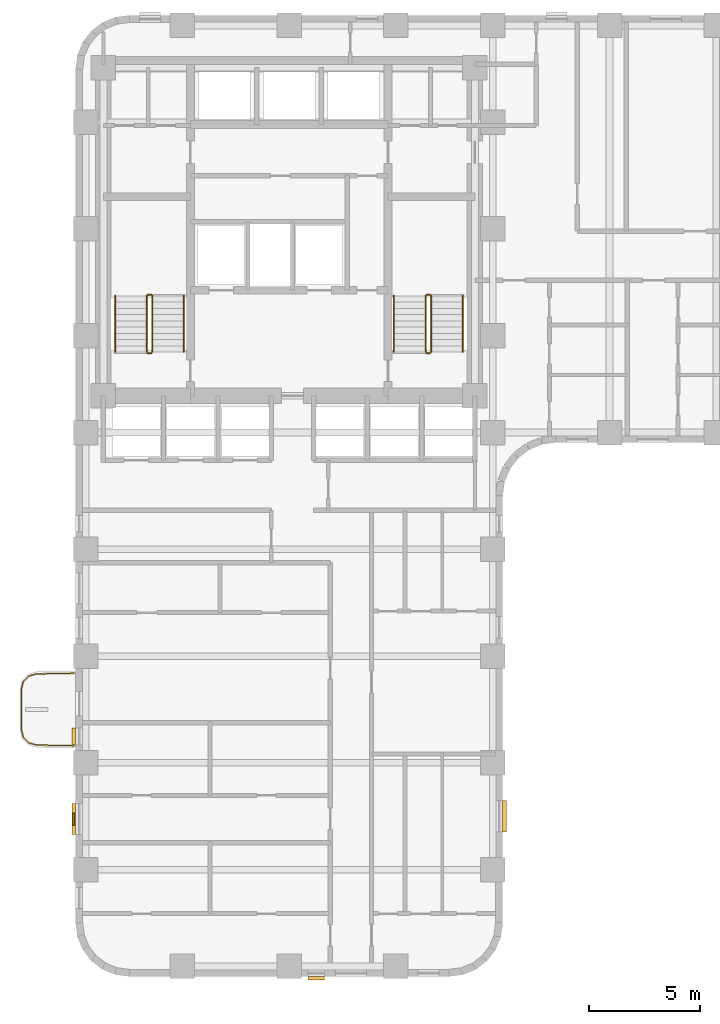
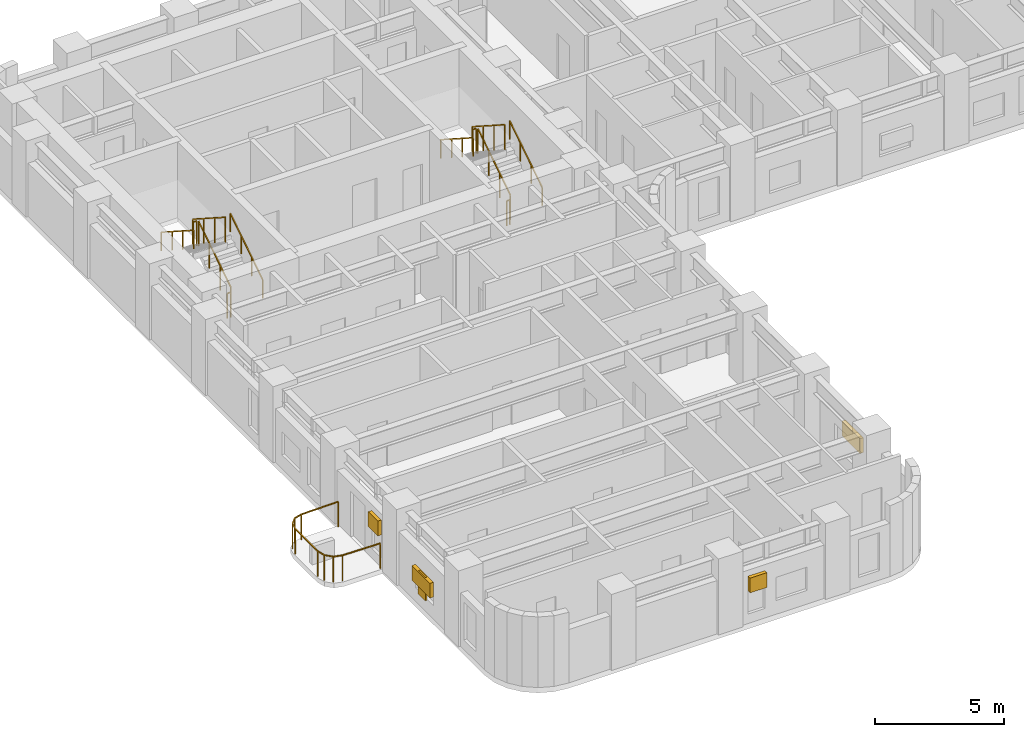
# One storey, part 9 of 11: 13 railings, 5 shading devices.
"""IFC4 building model written with IfcOpenShell, lengths in metres."""

import ifcopenshell
import ifcopenshell.guid

model = None  # the IFC model being written
_history = None  # IfcOwnerHistory: only IFC2X3 demands one
_inside = {}  # id of a spatial element -> (the spatial element, [elements in it])
_under = {}  # id of a project, library or spatial element -> (it, [spatial elements below it])
_declared = {}  # id of a project -> (the project, [libraries it declares])
_typed = {}  # id of a type object -> (the type object, [elements of that type])
_made_of = {}  # id of a material, layer set ... -> (it, [elements and type objects made of it])


def new_model(schema):
    """Start an empty IFC model of exactly this schema.

    Asked for "IFC4X3", IfcOpenShell would pick the latest addendum, in which some entities
    have other attributes; the version numbers below select the first issue.
    IFC2X3 requires an IfcOwnerHistory on every rooted entity: one is made here for all.
    """
    global model, _history
    if schema == "IFC4X3":
        model = ifcopenshell.file(schema_version=(4, 3, 0, 0))
    else:
        model = ifcopenshell.file(schema=schema)
    _inside.clear()
    _under.clear()
    _declared.clear()
    _typed.clear()
    _made_of.clear()
    _history = None
    if model.schema == "IFC2X3":
        org = make("IfcOrganization", Name="unknown")
        user = make(
            "IfcPersonAndOrganization",
            ThePerson=make("IfcPerson", FamilyName="unknown"),
            TheOrganization=org,
        )
        app = make(
            "IfcApplication",
            ApplicationDeveloper=org,
            Version="unknown",
            ApplicationFullName="unknown",
            ApplicationIdentifier="unknown",
        )
        _history = make(
            "IfcOwnerHistory",
            OwningUser=user,
            OwningApplication=app,
            ChangeAction="ADDED",
            CreationDate=0,
        )
    return model


def make(cls, **values):
    """One entity of the class cls with the attributes given. An attribute that is None is left unset."""
    return model.create_entity(
        cls, **{name: value for name, value in values.items() if value is not None}
    )


def rooted(cls, **values):
    """An entity with a GlobalId (a new one), such as an element, a storey or a relation."""
    return make(cls, GlobalId=ifcopenshell.guid.new(), OwnerHistory=_history, **values)


def si_unit(unit_type, name, prefix=None):
    """IfcSIUnit, for example si_unit("LENGTHUNIT", "METRE", prefix="MILLI")."""
    return make("IfcSIUnit", UnitType=unit_type, Prefix=prefix, Name=name)


def assignment(units):
    """IfcUnitAssignment: the units of a project."""
    return None if units is None else make("IfcUnitAssignment", Units=units)


def point(xyz):
    """IfcCartesianPoint."""
    return None if xyz is None else make("IfcCartesianPoint", Coordinates=xyz)


def direction(xyz):
    """IfcDirection."""
    return None if xyz is None else make("IfcDirection", DirectionRatios=xyz)


def frame(location, z_axis=None, x_axis=None):
    """IfcAxis2Placement3D, a coordinate frame: its origin and axes. An axis left out is left unset."""
    return make(
        "IfcAxis2Placement3D",
        Location=point(location),
        Axis=direction(z_axis),
        RefDirection=direction(x_axis),
    )


def frame_2d(location, x_axis=None):
    """IfcAxis2Placement2D, a coordinate frame in the plane: its origin and x axis."""
    return make(
        "IfcAxis2Placement2D", Location=point(location), RefDirection=direction(x_axis)
    )


def origin():
    """The frame at (0, 0, 0) with its axes left unset."""
    return frame((0.0, 0.0, 0.0))


def origin_2d():
    """The frame at (0, 0) in the plane with its x axis left unset."""
    return frame_2d((0.0, 0.0))


def place(relative_to, where):
    """IfcLocalPlacement: puts the frame where relative to a parent placement (None: the world)."""
    return make(
        "IfcLocalPlacement", PlacementRelTo=relative_to, RelativePlacement=where
    )


def context(
    kind, dimensions, precision=None, world=None, true_north=None, identifier=None
):
    """IfcGeometricRepresentationContext, for example the 3D "Model" context."""
    return make(
        "IfcGeometricRepresentationContext",
        ContextIdentifier=identifier,
        ContextType=kind,
        CoordinateSpaceDimension=dimensions,
        Precision=precision,
        WorldCoordinateSystem=world,
        TrueNorth=true_north,
    )


def subcontext(parent, identifier, kind, view, scale=None):
    """IfcGeometricRepresentationSubContext, for example "Body" below "Model"."""
    return make(
        "IfcGeometricRepresentationSubContext",
        ContextIdentifier=identifier,
        ContextType=kind,
        ParentContext=parent,
        TargetScale=scale,
        TargetView=view,
    )


def project(units=None, contexts=None):
    """IfcProject with its units and contexts."""
    return rooted(
        "IfcProject",
        Name="project",
        RepresentationContexts=contexts,
        UnitsInContext=assignment(units),
    )


def spatial(cls, under=None, at=None, **own):
    """A site, building, storey or space (cls), placed at a placement, below another one or the project."""
    s = rooted(cls, ObjectPlacement=at, **own)
    if under is not None:
        _under.setdefault(under.id(), (under, []))[1].append(s)
    return s


def profile(cls, at=None, kind="AREA", **sizes):
    """A parametric profile (cls). Its sizes go by their IFC names, for example OverallWidth=200.0."""
    return make(cls, ProfileType=kind, Position=at, **sizes)


def rectangle(**sizes):
    """IfcRectangleProfileDef."""
    return profile("IfcRectangleProfileDef", **sizes)


def extrude(swept, where, along, depth):
    """IfcExtrudedAreaSolid: the profile swept, set in the frame where, extruded along a direction by depth."""
    return make(
        "IfcExtrudedAreaSolid",
        SweptArea=swept,
        Position=where,
        ExtrudedDirection=direction(along),
        Depth=depth,
    )


def shape(context_of_items, identifier, shape_type, items):
    """IfcShapeRepresentation: the items that make up one representation, for example the "Body"."""
    return make(
        "IfcShapeRepresentation",
        ContextOfItems=context_of_items,
        RepresentationIdentifier=identifier,
        RepresentationType=shape_type,
        Items=items,
    )


def material(Name=None, Category=None):
    """IfcMaterial."""
    return make("IfcMaterial", Name=Name, Category=Category)


def made_of(thing, what):
    """Note that an element or type object is made of a material, layer set ...; save() writes the relation."""
    if what is not None:
        _made_of.setdefault(what.id(), (what, []))[1].append(thing)
    return thing


def type_object(cls, material=None, **own):
    """A type object (cls), such as IfcWallType, which elements share."""
    return made_of(rooted(cls, **own), material)


def element(
    cls,
    number,
    at=None,
    inside=None,
    cuts=None,
    type_object=None,
    material=None,
    context=None,
    identifier="Body",
    shape_type=None,
    held_by="IfcProductDefinitionShape",
    body=None,
    shapes=None,
    **own,
):
    """One element of the class cls, such as IfcWall. Its Tag is "e" and its number.

    at: its placement. inside: the storey or other place that contains it. cuts: it is an
    opening in that element (IfcRelVoidsElement). A single representation is given by context,
    identifier, shape_type and body (its items); several are given by shapes. held_by: the class
    of the entity that holds the representations. save() writes the other relations.
    """
    e = rooted(cls, Tag="e%d" % number, ObjectPlacement=at, **own)
    if body is not None:
        shapes = [shape(context, identifier, shape_type, body)]
    if shapes is not None:
        e.Representation = make(held_by, Representations=shapes)
    if inside is not None:
        _inside.setdefault(inside.id(), (inside, []))[1].append(e)
    if cuts is not None:
        rooted(
            "IfcRelVoidsElement", RelatingBuildingElement=cuts, RelatedOpeningElement=e
        )
    if type_object is not None:
        _typed.setdefault(type_object.id(), (type_object, []))[1].append(e)
    return made_of(e, material)


def aggregate(whole, parts):
    """IfcRelAggregates: a whole, such as a stair, and the parts it consists of."""
    return rooted("IfcRelAggregates", RelatingObject=whole, RelatedObjects=parts)


def save(model, path):
    """Write the relations noted so far, then the file.

    IfcRelAggregates (storeys below a building ...), IfcRelContainedInSpatialStructure (elements
    in a storey), IfcRelDefinesByType, IfcRelAssociatesMaterial and IfcRelDeclares: one each for
    every whole, place, type object, material and project.
    """
    for whole, parts in _under.values():
        aggregate(whole, parts)
    for where, things in _inside.values():
        rooted(
            "IfcRelContainedInSpatialStructure",
            RelatedElements=things,
            RelatingStructure=where,
        )
    for kind, things in _typed.values():
        rooted("IfcRelDefinesByType", RelatedObjects=things, RelatingType=kind)
    for what, things in _made_of.values():
        rooted("IfcRelAssociatesMaterial", RelatedObjects=things, RelatingMaterial=what)
    for by, libraries in _declared.values():
        rooted("IfcRelDeclares", RelatingContext=by, RelatedDefinitions=libraries)
    model.write(path)


model = new_model("IFC4")

# Units and contexts
model_context = context("Model", 3, precision=1e-05, world=origin(), true_north=direction((0.0, 1.0)))
body_context = subcontext(model_context, "Body", "Model", "MODEL_VIEW")
ifc_project = project(units=[si_unit("LENGTHUNIT", "METRE"), si_unit("AREAUNIT", "SQUARE_METRE"), si_unit("VOLUMEUNIT", "CUBIC_METRE"), si_unit("PLANEANGLEUNIT", "RADIAN"), si_unit("MASSUNIT", "GRAM", prefix="KILO")], contexts=[model_context])

# Site, building, storey
site_placement = place(None, origin())
site = spatial("IfcSite", under=ifc_project, at=site_placement, CompositionType="ELEMENT")
building_placement = place(site_placement, origin())
building = spatial("IfcBuilding", under=site, at=building_placement, Name="Orvandelia Arch Residences", CompositionType="ELEMENT")
storey_placement = place(building_placement, frame((0.0, 0.0, 46.60009765625)))
storey = spatial("IfcBuildingStorey", under=building, at=storey_placement, Name="L11", CompositionType="ELEMENT", Elevation=46.60009765625)

# Railings
ifc_material_1 = material(Name="Marine-Grade Stainless Steel 316", Category="steel")
railing_type_1 = type_object("IfcRailingType", Name="GRD-BAL-1200", PredefinedType="BALUSTRADE", material=ifc_material_1)
railing_1_placement = place(storey_placement, frame((4.728271484375, 18.430419921875, 0.0)))
element("IfcRailing", 1, at=railing_1_placement, inside=storey, type_object=railing_type_1, Name="Safety Balustrade Guard GRD-L11-BAL-L11-W1-1", PredefinedType="BALUSTRADE", context=body_context, shape_type="SweptSolid", body=[
    extrude(rectangle(XDim=0.048095703125, YDim=0.048095703125, at=origin_2d()), frame((0.0, 0.0, 1.19580078125), z_axis=(-0.999834751713, -0.018178813668, 0.0), x_axis=(0.018178813668, -0.999834751713, 0.0)), (0.0, 0.0, 1.0), 1.6787109375),
    extrude(rectangle(XDim=0.048095703125, YDim=0.048095703125, at=origin_2d()), frame((-1.678466796875, -0.030517578125, 1.19580078125), z_axis=(-0.96348920644, -0.267747173792, 0.0), x_axis=(0.267747173792, -0.96348920644, 0.0)), (0.0, 0.0, 1.0), 0.36572265625),
    extrude(rectangle(XDim=0.048095703125, YDim=0.048095703125, at=origin_2d()), frame((-2.03076171875, -0.12841796875, 1.19580078125), z_axis=(-0.688627404251, -0.725115368831, 0.0), x_axis=(0.725115368831, -0.688627404251, 0.0)), (0.0, 0.0, 1.0), 0.367919921875),
    extrude(rectangle(XDim=0.048095703125, YDim=0.048095703125, at=origin_2d()), frame((-2.2841796875, -0.395263671875, 1.19580078125), z_axis=(-0.220602419982, -0.975363815352, 0.0), x_axis=(0.975363815352, -0.220602419982, 0.0)), (0.0, 0.0, 1.0), 0.373046875),
    extrude(rectangle(XDim=0.048095703125, YDim=0.048095703125, at=origin_2d()), frame((-2.366455078125, -0.759033203125, 1.19580078125), z_axis=(0.0, -1.0, 0.0), x_axis=(1.0, 0.0, 0.0)), (0.0, 0.0, 1.0), 1.74267578125),
    extrude(rectangle(XDim=0.048095703125, YDim=0.048095703125, at=origin_2d()), frame((-2.366455078125, -2.501708984375, 1.19580078125), z_axis=(0.220602419982, -0.975363815352, 0.0), x_axis=(0.975363815352, 0.220602419982, 0.0)), (0.0, 0.0, 1.0), 0.373046875),
    extrude(rectangle(XDim=0.048095703125, YDim=0.048095703125, at=origin_2d()), frame((-2.2841796875, -2.865478515625, 1.19580078125), z_axis=(0.688296224633, -0.725429739642, 0.0), x_axis=(0.725429739642, 0.688296224633, 0.0)), (0.0, 0.0, 1.0), 0.3681640625),
    extrude(rectangle(XDim=0.048095703125, YDim=0.048095703125, at=origin_2d()), frame((-2.03076171875, -3.132568359375, 1.19580078125), z_axis=(0.96348920644, -0.267747173792, 0.0), x_axis=(0.267747173792, 0.96348920644, 0.0)), (0.0, 0.0, 1.0), 0.36572265625),
    extrude(rectangle(XDim=0.048095703125, YDim=0.048095703125, at=origin_2d()), frame((-1.678466796875, -3.23046875, 1.19580078125), z_axis=(0.999837384468, -0.018033430643, 0.0), x_axis=(0.018033430643, 0.999837384468, 0.0)), (0.0, 0.0, 1.0), 1.6787109375),
    extrude(rectangle(XDim=0.0419921875, YDim=0.0419921875, at=origin_2d()), origin(), (0.0, 0.0, 1.0), 1.171875),
    extrude(rectangle(XDim=0.0419921875, YDim=0.0419921875, at=origin_2d()), frame((-1.678466796875, -0.030517578125, 0.0)), (0.0, 0.0, 1.0), 1.171875),
    extrude(rectangle(XDim=0.0419921875, YDim=0.0419921875, at=origin_2d()), frame((-2.03076171875, -0.12841796875, 0.0)), (0.0, 0.0, 1.0), 1.171875),
    extrude(rectangle(XDim=0.0419921875, YDim=0.0419921875, at=origin_2d()), frame((-2.2841796875, -0.395263671875, 0.0)), (0.0, 0.0, 1.0), 1.171875),
    extrude(rectangle(XDim=0.0419921875, YDim=0.0419921875, at=origin_2d()), frame((-2.366455078125, -0.759033203125, 0.0)), (0.0, 0.0, 1.0), 1.171875),
    extrude(rectangle(XDim=0.0419921875, YDim=0.0419921875, at=origin_2d()), frame((-2.366455078125, -2.501708984375, 0.0)), (0.0, 0.0, 1.0), 1.171875),
    extrude(rectangle(XDim=0.0419921875, YDim=0.0419921875, at=origin_2d()), frame((-2.2841796875, -2.865478515625, 0.0)), (0.0, 0.0, 1.0), 1.171875),
    extrude(rectangle(XDim=0.0419921875, YDim=0.0419921875, at=origin_2d()), frame((-2.03076171875, -3.132568359375, 0.0)), (0.0, 0.0, 1.0), 1.171875),
    extrude(rectangle(XDim=0.0419921875, YDim=0.0419921875, at=origin_2d()), frame((-1.678466796875, -3.23046875, 0.0)), (0.0, 0.0, 1.0), 1.171875),
    extrude(rectangle(XDim=0.0419921875, YDim=0.0419921875, at=origin_2d()), frame((0.0, -3.2607421875, 0.0)), (0.0, 0.0, 1.0), 1.171875),
])
ifc_material_2 = material(Name="Brushed Stainless Steel 304", Category="steel")
railing_type_2 = type_object("IfcRailingType", Name="RL-STAIR-GD1120", PredefinedType="GUARDRAIL", material=ifc_material_2)
railing_2_placement = place(storey_placement, frame((8.25, 32.8701171875, 0.179931640625)))
element("IfcRailing", 2, at=railing_2_placement, inside=storey, type_object=railing_type_2, Name="L11 ST-1 stair guard 1", PredefinedType="GUARDRAIL", context=body_context, shape_type="SweptSolid", body=[
    extrude(rectangle(XDim=0.048095703125, YDim=0.048095703125, at=origin_2d()), frame((0.0, 0.0, 1.17578125), z_axis=(0.0, 0.841175827307, 0.540761710511), x_axis=(-1.0, 0.0, 0.0)), (0.0, 0.0, 1.0), 2.99560546875),
    extrude(rectangle(XDim=0.0419921875, YDim=0.0419921875, at=origin_2d()), origin(), (0.0, 0.0, 1.0), 1.15185546875),
    extrude(rectangle(XDim=0.0419921875, YDim=0.0419921875, at=origin_2d()), frame((0.0, 0.83984375, 0.5400390625)), (0.0, 0.0, 1.0), 1.15185546875),
    extrude(rectangle(XDim=0.0419921875, YDim=0.0419921875, at=origin_2d()), frame((0.0, 1.679931640625, 1.079833984375)), (0.0, 0.0, 1.0), 1.15185546875),
    extrude(rectangle(XDim=0.0419921875, YDim=0.0419921875, at=origin_2d()), frame((0.0, 2.519775390625, 1.619873046875)), (0.0, 0.0, 1.0), 1.15185546875),
])
railing_3_placement = place(storey_placement, frame((8.199951171875, 35.43994140625, 1.7998046875)))
element("IfcRailing", 3, at=railing_3_placement, inside=storey, type_object=railing_type_2, Name="L11 ST-1 stair guard 2", PredefinedType="GUARDRAIL", context=body_context, shape_type="SweptSolid", body=[
    extrude(rectangle(XDim=0.048095703125, YDim=0.048095703125, at=origin_2d()), frame((0.0, 0.0, 1.17578125), z_axis=(-1.0, 0.0, 0.0), x_axis=(0.0, -1.0, 0.0)), (0.0, 0.0, 1.0), 0.14990234375),
    extrude(rectangle(XDim=0.0419921875, YDim=0.0419921875, at=origin_2d()), origin(), (0.0, 0.0, 1.0), 1.15185546875),
    extrude(rectangle(XDim=0.0419921875, YDim=0.0419921875, at=origin_2d()), frame((-0.14990234375, 0.0, 0.0)), (0.0, 0.0, 1.0), 1.15185546875),
])
railing_4_placement = place(storey_placement, frame((8.0, 35.389892578125, 1.97998046875)))
element("IfcRailing", 4, at=railing_4_placement, inside=storey, type_object=railing_type_2, Name="L11 ST-1 stair guard 3", PredefinedType="GUARDRAIL", context=body_context, shape_type="SweptSolid", body=[
    extrude(rectangle(XDim=0.048095703125, YDim=0.048095703125, at=origin_2d()), frame((0.0, 0.0, 1.17578125), z_axis=(0.0, -0.841175827307, 0.540761710511), x_axis=(1.0, 0.0, 0.0)), (0.0, 0.0, 1.0), 2.99560546875),
    extrude(rectangle(XDim=0.0419921875, YDim=0.0419921875, at=origin_2d()), origin(), (0.0, 0.0, 1.0), 1.15185546875),
    extrude(rectangle(XDim=0.0419921875, YDim=0.0419921875, at=origin_2d()), frame((0.0, -0.83984375, 0.5400390625)), (0.0, 0.0, 1.0), 1.15185546875),
    extrude(rectangle(XDim=0.0419921875, YDim=0.0419921875, at=origin_2d()), frame((0.0, -1.679931640625, 1.079833984375)), (0.0, 0.0, 1.0), 1.15185546875),
    extrude(rectangle(XDim=0.0419921875, YDim=0.0419921875, at=origin_2d()), frame((0.0, -2.519775390625, 1.619873046875)), (0.0, 0.0, 1.0), 1.15185546875),
])
railing_5_placement = place(storey_placement, frame((8.199951171875, 32.820068359375, 0.0)))
element("IfcRailing", 5, at=railing_5_placement, inside=storey, type_object=railing_type_2, Name="L11 ST-1 stair guard 4", PredefinedType="GUARDRAIL", context=body_context, shape_type="SweptSolid", body=[
    extrude(rectangle(XDim=0.048095703125, YDim=0.048095703125, at=origin_2d()), frame((0.0, 0.0, 1.17578125), z_axis=(-1.0, 0.0, 0.0), x_axis=(0.0, -1.0, 0.0)), (0.0, 0.0, 1.0), 0.14990234375),
    extrude(rectangle(XDim=0.0419921875, YDim=0.0419921875, at=origin_2d()), origin(), (0.0, 0.0, 1.0), 1.15185546875),
    extrude(rectangle(XDim=0.0419921875, YDim=0.0419921875, at=origin_2d()), frame((-0.14990234375, 0.0, 0.0)), (0.0, 0.0, 1.0), 1.15185546875),
])
railing_6_placement = place(storey_placement, frame((20.780029296875, 32.8701171875, 0.179931640625)))
element("IfcRailing", 6, at=railing_6_placement, inside=storey, type_object=railing_type_2, Name="L11 ST-2 stair guard 1", PredefinedType="GUARDRAIL", context=body_context, shape_type="SweptSolid", body=[
    extrude(rectangle(XDim=0.048095703125, YDim=0.048095703125, at=origin_2d()), frame((0.0, 0.0, 1.17578125), z_axis=(0.0, 0.841175827307, 0.540761710511), x_axis=(-1.0, 0.0, 0.0)), (0.0, 0.0, 1.0), 2.99560546875),
    extrude(rectangle(XDim=0.0419921875, YDim=0.0419921875, at=origin_2d()), origin(), (0.0, 0.0, 1.0), 1.15185546875),
    extrude(rectangle(XDim=0.0419921875, YDim=0.0419921875, at=origin_2d()), frame((0.0, 0.83984375, 0.5400390625)), (0.0, 0.0, 1.0), 1.15185546875),
    extrude(rectangle(XDim=0.0419921875, YDim=0.0419921875, at=origin_2d()), frame((0.0, 1.679931640625, 1.079833984375)), (0.0, 0.0, 1.0), 1.15185546875),
    extrude(rectangle(XDim=0.0419921875, YDim=0.0419921875, at=origin_2d()), frame((0.0, 2.519775390625, 1.619873046875)), (0.0, 0.0, 1.0), 1.15185546875),
])
railing_7_placement = place(storey_placement, frame((20.72998046875, 35.43994140625, 1.7998046875)))
element("IfcRailing", 7, at=railing_7_placement, inside=storey, type_object=railing_type_2, Name="L11 ST-2 stair guard 2", PredefinedType="GUARDRAIL", context=body_context, shape_type="SweptSolid", body=[
    extrude(rectangle(XDim=0.048095703125, YDim=0.048095703125, at=origin_2d()), frame((0.0, 0.0, 1.17578125), z_axis=(-1.0, 0.0, 0.0), x_axis=(0.0, -1.0, 0.0)), (0.0, 0.0, 1.0), 0.14990234375),
    extrude(rectangle(XDim=0.0419921875, YDim=0.0419921875, at=origin_2d()), origin(), (0.0, 0.0, 1.0), 1.15185546875),
    extrude(rectangle(XDim=0.0419921875, YDim=0.0419921875, at=origin_2d()), frame((-0.14990234375, 0.0, 0.0)), (0.0, 0.0, 1.0), 1.15185546875),
])
railing_8_placement = place(storey_placement, frame((20.530029296875, 35.389892578125, 1.97998046875)))
element("IfcRailing", 8, at=railing_8_placement, inside=storey, type_object=railing_type_2, Name="L11 ST-2 stair guard 3", PredefinedType="GUARDRAIL", context=body_context, shape_type="SweptSolid", body=[
    extrude(rectangle(XDim=0.048095703125, YDim=0.048095703125, at=origin_2d()), frame((0.0, 0.0, 1.17578125), z_axis=(0.0, -0.841175827307, 0.540761710511), x_axis=(1.0, 0.0, 0.0)), (0.0, 0.0, 1.0), 2.99560546875),
    extrude(rectangle(XDim=0.0419921875, YDim=0.0419921875, at=origin_2d()), origin(), (0.0, 0.0, 1.0), 1.15185546875),
    extrude(rectangle(XDim=0.0419921875, YDim=0.0419921875, at=origin_2d()), frame((0.0, -0.83984375, 0.5400390625)), (0.0, 0.0, 1.0), 1.15185546875),
    extrude(rectangle(XDim=0.0419921875, YDim=0.0419921875, at=origin_2d()), frame((0.0, -1.679931640625, 1.079833984375)), (0.0, 0.0, 1.0), 1.15185546875),
    extrude(rectangle(XDim=0.0419921875, YDim=0.0419921875, at=origin_2d()), frame((0.0, -2.519775390625, 1.619873046875)), (0.0, 0.0, 1.0), 1.15185546875),
])
railing_9_placement = place(storey_placement, frame((20.72998046875, 32.820068359375, 0.0)))
element("IfcRailing", 9, at=railing_9_placement, inside=storey, type_object=railing_type_2, Name="L11 ST-2 stair guard 4", PredefinedType="GUARDRAIL", context=body_context, shape_type="SweptSolid", body=[
    extrude(rectangle(XDim=0.048095703125, YDim=0.048095703125, at=origin_2d()), frame((0.0, 0.0, 1.17578125), z_axis=(-1.0, 0.0, 0.0), x_axis=(0.0, -1.0, 0.0)), (0.0, 0.0, 1.0), 0.14990234375),
    extrude(rectangle(XDim=0.0419921875, YDim=0.0419921875, at=origin_2d()), origin(), (0.0, 0.0, 1.0), 1.15185546875),
    extrude(rectangle(XDim=0.0419921875, YDim=0.0419921875, at=origin_2d()), frame((-0.14990234375, 0.0, 0.0)), (0.0, 0.0, 1.0), 1.15185546875),
])
railing_type_3 = type_object("IfcRailingType", Name="RL-STAIR-HR920", PredefinedType="HANDRAIL", material=ifc_material_2)
railing_10_placement = place(storey_placement, frame((9.669921875, 32.8701171875, 0.35986328125)))
element("IfcRailing", 10, at=railing_10_placement, inside=storey, type_object=railing_type_3, Name="L11 ST-1 stair handrail 1", PredefinedType="HANDRAIL", context=body_context, shape_type="SweptSolid", body=[
    extrude(rectangle(XDim=0.048095703125, YDim=0.048095703125, at=origin_2d()), frame((0.0, 0.0, 0.8759765625), z_axis=(0.0, 0.841138753965, 0.540819375188), x_axis=(-1.0, 0.0, 0.0)), (0.0, 0.0, 1.0), 2.99560546875),
    extrude(rectangle(XDim=0.0419921875, YDim=0.0419921875, at=origin_2d()), origin(), (0.0, 0.0, 1.0), 0.851806640625),
    extrude(rectangle(XDim=0.0419921875, YDim=0.0419921875, at=origin_2d()), frame((0.0, 0.83984375, 0.5400390625)), (0.0, 0.0, 1.0), 0.851806640625),
    extrude(rectangle(XDim=0.0419921875, YDim=0.0419921875, at=origin_2d()), frame((0.0, 1.679931640625, 1.080078125)), (0.0, 0.0, 1.0), 0.851806640625),
    extrude(rectangle(XDim=0.0419921875, YDim=0.0419921875, at=origin_2d()), frame((0.0, 2.519775390625, 1.6201171875)), (0.0, 0.0, 1.0), 0.851806640625),
])
railing_11_placement = place(storey_placement, frame((6.580078125, 35.389892578125, 2.159912109375)))
element("IfcRailing", 11, at=railing_11_placement, inside=storey, type_object=railing_type_3, Name="L11 ST-1 stair handrail 2", PredefinedType="HANDRAIL", context=body_context, shape_type="SweptSolid", body=[
    extrude(rectangle(XDim=0.048095703125, YDim=0.048095703125, at=origin_2d()), frame((0.0, 0.0, 0.8759765625), z_axis=(0.0, -0.841175827307, 0.540761710511), x_axis=(1.0, 0.0, 0.0)), (0.0, 0.0, 1.0), 2.99560546875),
    extrude(rectangle(XDim=0.0419921875, YDim=0.0419921875, at=origin_2d()), origin(), (0.0, 0.0, 1.0), 0.851806640625),
    extrude(rectangle(XDim=0.0419921875, YDim=0.0419921875, at=origin_2d()), frame((0.0, -0.83984375, 0.5400390625)), (0.0, 0.0, 1.0), 0.851806640625),
    extrude(rectangle(XDim=0.0419921875, YDim=0.0419921875, at=origin_2d()), frame((0.0, -1.679931640625, 1.079833984375)), (0.0, 0.0, 1.0), 0.851806640625),
    extrude(rectangle(XDim=0.0419921875, YDim=0.0419921875, at=origin_2d()), frame((0.0, -2.519775390625, 1.619873046875)), (0.0, 0.0, 1.0), 0.851806640625),
])
railing_12_placement = place(storey_placement, frame((22.199951171875, 32.8701171875, 0.35986328125)))
element("IfcRailing", 12, at=railing_12_placement, inside=storey, type_object=railing_type_3, Name="L11 ST-2 stair handrail 1", PredefinedType="HANDRAIL", context=body_context, shape_type="SweptSolid", body=[
    extrude(rectangle(XDim=0.048095703125, YDim=0.048095703125, at=origin_2d()), frame((0.0, 0.0, 0.8759765625), z_axis=(0.0, 0.841138753965, 0.540819375188), x_axis=(-1.0, 0.0, 0.0)), (0.0, 0.0, 1.0), 2.99560546875),
    extrude(rectangle(XDim=0.0419921875, YDim=0.0419921875, at=origin_2d()), origin(), (0.0, 0.0, 1.0), 0.851806640625),
    extrude(rectangle(XDim=0.0419921875, YDim=0.0419921875, at=origin_2d()), frame((0.0, 0.83984375, 0.5400390625)), (0.0, 0.0, 1.0), 0.851806640625),
    extrude(rectangle(XDim=0.0419921875, YDim=0.0419921875, at=origin_2d()), frame((0.0, 1.679931640625, 1.080078125)), (0.0, 0.0, 1.0), 0.851806640625),
    extrude(rectangle(XDim=0.0419921875, YDim=0.0419921875, at=origin_2d()), frame((0.0, 2.519775390625, 1.6201171875)), (0.0, 0.0, 1.0), 0.851806640625),
])
railing_13_placement = place(storey_placement, frame((19.110107421875, 35.389892578125, 2.159912109375)))
element("IfcRailing", 13, at=railing_13_placement, inside=storey, type_object=railing_type_3, Name="L11 ST-2 stair handrail 2", PredefinedType="HANDRAIL", context=body_context, shape_type="SweptSolid", body=[
    extrude(rectangle(XDim=0.048095703125, YDim=0.048095703125, at=origin_2d()), frame((0.0, 0.0, 0.8759765625), z_axis=(0.0, -0.841175827307, 0.540761710511), x_axis=(1.0, 0.0, 0.0)), (0.0, 0.0, 1.0), 2.99560546875),
    extrude(rectangle(XDim=0.0419921875, YDim=0.0419921875, at=origin_2d()), origin(), (0.0, 0.0, 1.0), 0.851806640625),
    extrude(rectangle(XDim=0.0419921875, YDim=0.0419921875, at=origin_2d()), frame((0.0, -0.83984375, 0.5400390625)), (0.0, 0.0, 1.0), 0.851806640625),
    extrude(rectangle(XDim=0.0419921875, YDim=0.0419921875, at=origin_2d()), frame((0.0, -1.679931640625, 1.079833984375)), (0.0, 0.0, 1.0), 0.851806640625),
    extrude(rectangle(XDim=0.0419921875, YDim=0.0419921875, at=origin_2d()), frame((0.0, -2.519775390625, 1.619873046875)), (0.0, 0.0, 1.0), 0.851806640625),
])

# Shading devices
ifc_material_3 = material(Name="Anodised Champagne-Bronze Extruded Aluminium", Category="aluminium")
shading_device_type_1 = type_object("IfcShadingDeviceType", Name="SHD-JALOUSIE-SCREEN", PredefinedType="JALOUSIE", material=ifc_material_3)
shading_device_1_placement = place(storey_placement, frame((24.080078125, 12.0, 1.0498046875), z_axis=(0.0, 0.0, 1.0), x_axis=(0.0, -1.0, 0.0)))
element("IfcShadingDevice", 14, at=shading_device_1_placement, inside=storey, type_object=shading_device_type_1, Name="Bronze Jalousie Sun-Shade L11-007", PredefinedType="JALOUSIE", context=body_context, shape_type="SweptSolid", body=[
    extrude(rectangle(XDim=1.39990234375, YDim=0.159912109375, at=origin_2d()), origin(), (0.0, 0.0, 1.0), 0.699951171875),
])
shading_device_2_placement = place(storey_placement, frame((15.610107421875, 4.719970703125, 1.5498046875), z_axis=(0.0, 0.0, 1.0), x_axis=(-1.0, 0.0, 0.0)))
element("IfcShadingDevice", 15, at=shading_device_2_placement, inside=storey, type_object=shading_device_type_1, Name="Bronze Jalousie Sun-Shade L11-008", PredefinedType="JALOUSIE", context=body_context, shape_type="SweptSolid", body=[
    extrude(rectangle(XDim=0.75, YDim=0.159912109375, at=origin_2d()), origin(), (0.0, 0.0, 1.0), 0.699951171875),
])
shading_device_3_placement = place(storey_placement, frame((4.719970703125, 11.8701171875, 1.0498046875), z_axis=(0.0, 0.0, 1.0), x_axis=(0.0, 1.0, 0.0)))
element("IfcShadingDevice", 16, at=shading_device_3_placement, inside=storey, type_object=shading_device_type_1, Name="Bronze Jalousie Sun-Shade L11-009", PredefinedType="JALOUSIE", context=body_context, shape_type="SweptSolid", body=[
    extrude(rectangle(XDim=1.39990234375, YDim=0.159912109375, at=origin_2d()), origin(), (0.0, 0.0, 1.0), 0.699951171875),
])
shading_device_4_placement = place(storey_placement, frame((4.719970703125, 15.5849609375, 1.5498046875), z_axis=(0.0, 0.0, 1.0), x_axis=(0.0, 1.0, 0.0)))
element("IfcShadingDevice", 17, at=shading_device_4_placement, inside=storey, type_object=shading_device_type_1, Name="Bronze Jalousie Sun-Shade L11-010", PredefinedType="JALOUSIE", context=body_context, shape_type="SweptSolid", body=[
    extrude(rectangle(XDim=0.75, YDim=0.159912109375, at=origin_2d()), origin(), (0.0, 0.0, 1.0), 0.699951171875),
])
ifc_material_4 = material(Name="Marine-Grade Perforated Aluminium Storm Shutter", Category="aluminium")
shading_device_type_2 = type_object("IfcShadingDeviceType", Name="SHD-STORM-SHUTTER", PredefinedType="SHUTTER", material=ifc_material_4)
shading_device_5_placement = place(storey_placement, frame((4.719970703125, 11.8701171875, 0.64990234375), z_axis=(0.0, 0.0, 1.0), x_axis=(0.0, 1.0, 0.0)))
element("IfcShadingDevice", 18, at=shading_device_5_placement, inside=storey, type_object=shading_device_type_2, Name="Operable Typhoon Storm Shutter L11-009", PredefinedType="SHUTTER", context=body_context, shape_type="SweptSolid", body=[
    extrude(rectangle(XDim=0.550048828125, YDim=0.080078125, at=origin_2d()), origin(), (0.0, 0.0, 1.0), 1.10009765625),
])

save(model, "model.ifc")
